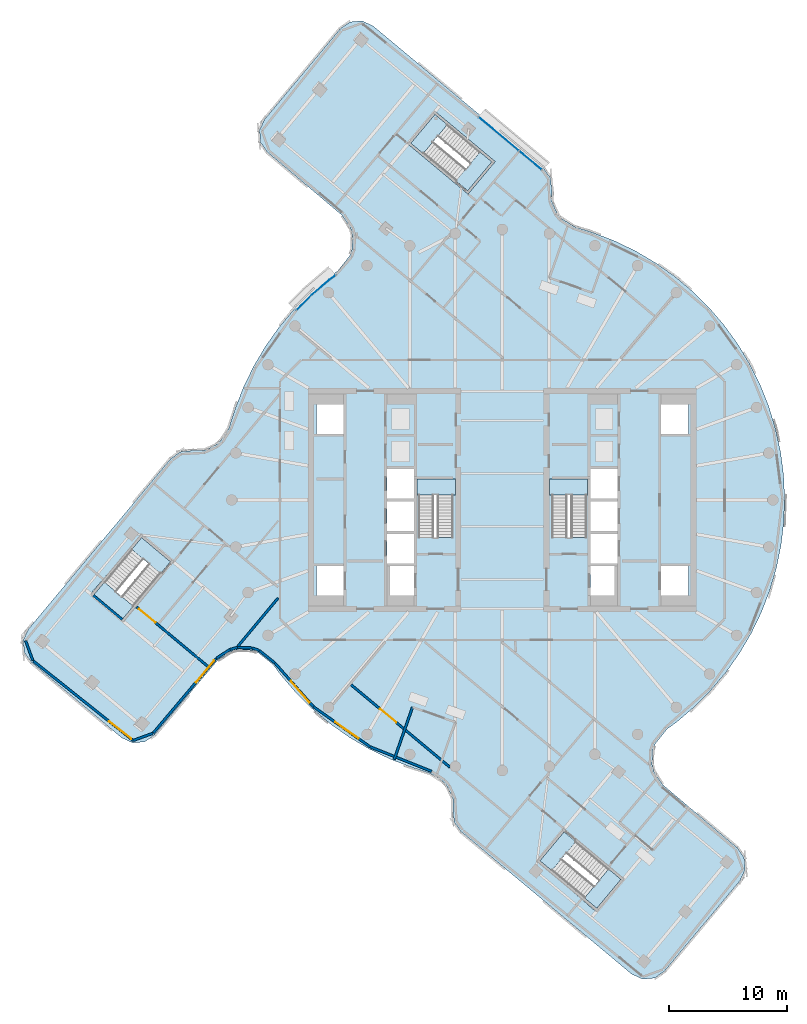
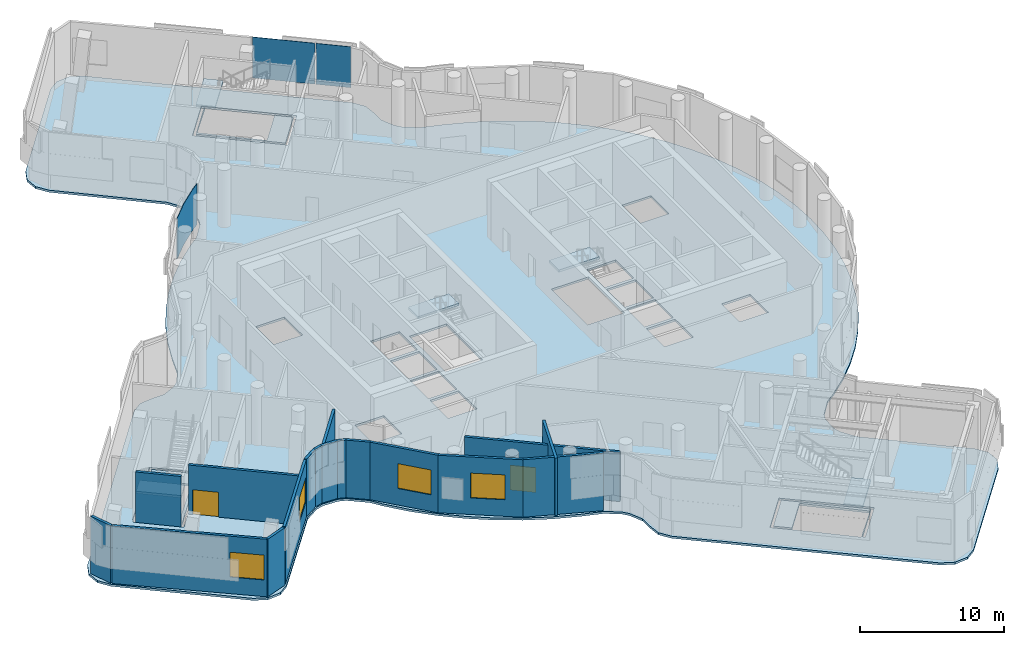
# One storey, part 6 of 19: 17 walls, 9 slabs, 4 windows, 3 plates, 2 doors, 6 openings, 7 elements without a shape of their own.
"""IFC4 building model written with IfcOpenShell, lengths in metres."""

from ifc_helpers import new_model, si_unit, direction, frame, frame_2d, origin, place, context, subcontext, project, spatial, polyline, rectangle, outline, extrude, material, layer, layer_set, type_object, element, fill, aggregate, save


model = new_model("IFC4")

# Units and contexts
model_context = context("Model", 3, precision=1e-05, world=origin(), true_north=direction((0.0, 1.0)))
body_context = subcontext(model_context, "Body", "Model", "MODEL_VIEW")
ifc_project = project(units=[si_unit("LENGTHUNIT", "METRE"), si_unit("AREAUNIT", "SQUARE_METRE"), si_unit("VOLUMEUNIT", "CUBIC_METRE"), si_unit("PLANEANGLEUNIT", "RADIAN"), si_unit("MASSUNIT", "GRAM", prefix="KILO")], contexts=[model_context])

# Site, building, storey
site_placement = place(None, origin())
site = spatial("IfcSite", under=ifc_project, at=site_placement, CompositionType="ELEMENT")
building_placement = place(site_placement, origin())
building = spatial("IfcBuilding", under=site, at=building_placement, Name="Tamarind Cross Interchange Tower", CompositionType="ELEMENT")
storey_placement = place(building_placement, frame((0.0, 0.0, 214.89990234375)))
storey = spatial("IfcBuildingStorey", under=building, at=storey_placement, Name="L54", CompositionType="ELEMENT", Elevation=214.89990234375)

# Slabs
ifc_material_1 = material(Name="Concrete C40", Category="concrete")
ifc_layer_1 = layer(ifc_material_1, 0.179931640625)
ifc_layer_set_1 = layer_set([ifc_layer_1], Name="Concrete C40")
slab_type_1 = type_object("IfcSlabType", Name="Composite slab 180 Concrete C40", PredefinedType="FLOOR", material=ifc_layer_set_1)
slab_1_placement = place(storey_placement, frame((0.0, 0.0, -0.179931640625)))
element("IfcSlab", 1, at=slab_1_placement, inside=storey, type_object=slab_type_1, Name="Floor slab L54", PredefinedType="FLOOR", context=body_context, shape_type="SweptSolid", body=[
    extrude(outline(polyline([(-27.368896484375, 4.09228515625), (-28.19287109375, 3.50439453125), (-40.28271484375, -10.980712890625), (-40.7177734375, -11.919921875), (-40.624755859375, -12.951171875), (-40.02880859375, -13.797607421875), (-32.351318359375, -20.205322265625), (-31.412109375, -20.640380859375), (-30.380859375, -20.547607421875), (-29.534423828125, -19.951416015625), (-24.17919921875, -13.6064453125), (-23.052734375, -12.883056640625), (-22.48828125, -12.728759765625), (-21.304443359375, -12.7734375), (-20.753173828125, -12.9697265625), (-19.47412109375, -13.9921875), (-18.87255859375, -14.820068359375), (-17.584228515625, -16.327880859375), (-16.17578125, -17.72412109375), (-14.656982421875, -18.99951171875), (-13.0380859375, -20.14501953125), (-11.329833984375, -21.15283203125), (-9.54443359375, -22.01611328125), (-7.693603515625, -22.72900390625), (-6.087890625, -23.249267578125), (-5.030029296875, -23.935302734375), (-4.670166015625, -24.354248046875), (-4.2109375, -25.37158203125), (-4.201171875, -26.36279296875), (-4.09228515625, -27.368896484375), (-3.50439453125, -28.19287109375), (10.980712890625, -40.28271484375), (11.919921875, -40.7177734375), (12.951171875, -40.624755859375), (13.797607421875, -40.02880859375), (20.205322265625, -32.351318359375), (20.640380859375, -31.412109375), (20.547607421875, -30.380859375), (19.951416015625, -29.534423828125), (13.6064453125, -24.17919921875), (12.883056640625, -23.052734375), (12.728759765625, -22.48828125), (12.7734375, -21.304443359375), (12.9697265625, -20.753173828125), (13.9921875, -19.47412109375), (14.820068359375, -18.87255859375), (16.327880859375, -17.584228515625), (17.72412109375, -16.17578125), (18.99951171875, -14.656982421875), (20.14501953125, -13.0380859375), (21.15283203125, -11.329833984375), (22.01611328125, -9.54443359375), (22.72900390625, -7.693603515625), (23.286865234375, -5.79052734375), (23.685546875, -3.84765625), (23.92236328125, -1.878662109375), (23.99560546875, 0.103271484375), (23.9052734375, 2.08447265625), (23.651611328125, 4.051513671875), (23.236083984375, 5.99072265625), (22.662109375, 7.88916015625), (21.93310546875, 9.7333984375), (21.054443359375, 11.511474609375), (20.031982421875, 13.2109375), (18.87255859375, 14.820068359375), (17.584228515625, 16.327880859375), (16.17578125, 17.72412109375), (14.656982421875, 18.99951171875), (13.0380859375, 20.14501953125), (11.329833984375, 21.15283203125), (9.54443359375, 22.01611328125), (7.693603515625, 22.72900390625), (6.087890625, 23.249267578125), (5.030029296875, 23.935302734375), (4.670166015625, 24.354248046875), (4.2109375, 25.37158203125), (4.201171875, 26.36279296875), (4.09228515625, 27.368896484375), (3.50439453125, 28.19287109375), (-10.980712890625, 40.28271484375), (-11.919921875, 40.7177734375), (-12.951171875, 40.624755859375), (-13.797607421875, 40.02880859375), (-20.205322265625, 32.351318359375), (-20.640380859375, 31.412109375), (-20.547607421875, 30.380859375), (-19.951416015625, 29.534423828125), (-13.6064453125, 24.17919921875), (-12.883056640625, 23.052734375), (-12.728759765625, 22.48828125), (-12.7734375, 21.304443359375), (-12.9697265625, 20.753173828125), (-13.9921875, 19.47412109375), (-14.820068359375, 18.87255859375), (-16.327880859375, 17.584228515625), (-17.72412109375, 16.17578125), (-18.99951171875, 14.656982421875), (-20.14501953125, 13.0380859375), (-21.15283203125, 11.329833984375), (-22.01611328125, 9.54443359375), (-22.72900390625, 7.693603515625), (-23.249267578125, 6.087890625), (-23.935302734375, 5.030029296875), (-24.354248046875, 4.670166015625), (-25.37158203125, 4.2109375), (-26.36279296875, 4.201171875), (-27.368896484375, 4.09228515625)]), holes=[polyline([(-30.68310546875, -2.91259765625), (-30.529541015625, -3.040771484375), (-28.072998046875, -5.09130859375), (-27.919189453125, -5.219482421875), (-32.21240234375, -10.363037109375), (-32.3662109375, -10.235107421875), (-34.82275390625, -8.1845703125), (-34.976318359375, -8.056396484375), (-34.793701171875, -7.83740234375), (-34.839111328125, -7.798095703125), (-32.685302734375, -5.311279296875), (-30.68310546875, -2.91259765625)]), polyline([(-13.5, -8.125), (-15.800048828125, -8.125), (-15.800048828125, -5.625), (-13.5, -5.625), (-13.5, -8.125)]), polyline([(-7.5, -8.125), (-9.800048828125, -8.125), (-9.800048828125, -5.625), (-7.5, -5.625), (-7.5, -8.125)]), polyline([(-7.5, -2.875), (-7.5, -5.375), (-9.800048828125, -5.375), (-9.800048828125, -2.875), (-7.5, -2.875)]), polyline([(-7.5, -2.625), (-9.800048828125, -2.625), (-9.800048828125, -0.125), (-7.5, -0.125), (-7.5, -2.625)]), polyline([(-4.199951171875, 1.800048828125), (-4.199951171875, -3.18798828125), (-7.14990234375, -3.18798828125), (-7.14990234375, 1.800048828125), (-4.199951171875, 1.800048828125)]), polyline([(-7.5, 0.125), (-9.800048828125, 0.125), (-9.800048828125, 2.625), (-7.5, 2.625), (-7.5, 0.125)]), polyline([(-13.5, 5.625), (-15.800048828125, 5.625), (-15.800048828125, 8.125), (-13.5, 8.125), (-13.5, 5.625)]), polyline([(-8.06005859375, 30.290283203125), (-7.931884765625, 30.443603515625), (-5.88134765625, 32.900390625), (-5.753173828125, 33.053955078125), (-5.533935546875, 32.87109375), (-5.530517578125, 32.875), (-5.311279296875, 32.685302734375), (-0.609375, 28.7607421875), (-0.737548828125, 28.607421875), (-2.7880859375, 26.150390625), (-2.916259765625, 25.9970703125), (-8.06005859375, 30.290283203125)]), polyline([(2.91259765625, -30.68310546875), (3.040771484375, -30.529541015625), (5.09130859375, -28.072998046875), (5.219482421875, -27.919189453125), (10.363037109375, -32.21240234375), (10.235107421875, -32.3662109375), (8.1845703125, -34.82275390625), (8.056396484375, -34.976318359375), (7.83740234375, -34.793701171875), (7.798095703125, -34.839111328125), (5.311279296875, -32.685302734375), (2.91259765625, -30.68310546875)]), polyline([(7.5, -5.625), (9.800048828125, -5.625), (9.800048828125, -8.125), (7.5, -8.125), (7.5, -5.625)]), polyline([(13.5, -5.625), (15.800048828125, -5.625), (15.800048828125, -8.125), (13.5, -8.125), (13.5, -5.625)]), polyline([(7.5, -2.875), (9.800048828125, -2.875), (9.800048828125, -5.375), (7.5, -5.375), (7.5, -2.875)]), polyline([(7.5, -0.125), (9.800048828125, -0.125), (9.800048828125, -2.625), (7.5, -2.625), (7.5, -0.125)]), polyline([(7.14990234375, 1.800048828125), (7.14990234375, -3.18798828125), (4.199951171875, -3.18798828125), (4.199951171875, 1.800048828125), (7.14990234375, 1.800048828125)]), polyline([(7.5, 2.625), (9.800048828125, 2.625), (9.800048828125, 0.125), (7.5, 0.125), (7.5, 2.625)]), polyline([(13.5, 8.125), (15.800048828125, 8.125), (15.800048828125, 5.625), (13.5, 5.625), (13.5, 8.125)])]), origin(), (0.0, 0.0, 1.0), 0.179931640625),
])
slab_2_placement = place(storey_placement, frame((0.0, 0.0, -0.179931640625)))
element("IfcSlab", 2, at=slab_2_placement, inside=storey, type_object=slab_type_1, Name="Floor slab L54", PredefinedType="FLOOR", context=body_context, shape_type="SweptSolid", body=[
    extrude(outline(polyline([(-34.694580078125, -8.031005859375), (-32.23779296875, -10.081298828125), (-28.200927734375, -5.24462890625), (-30.65771484375, -3.1943359375), (-31.44580078125, -4.13818359375), (-31.498291015625, -4.201416015625), (-29.17236328125, -6.14306640625), (-32.419921875, -9.89306640625), (-34.642333984375, -7.968505859375), (-34.694580078125, -8.031005859375)])), origin(), (0.0, 0.0, 1.0), 0.179931640625),
])
slab_3_placement = place(storey_placement, frame((0.0, 0.0, -0.179931640625)))
element("IfcSlab", 3, at=slab_3_placement, inside=storey, type_object=slab_type_1, Name="Floor slab L54", PredefinedType="FLOOR", context=body_context, shape_type="SweptSolid", body=[
    extrude(outline(polyline([(-5.727783203125, 32.772216796875), (-7.7783203125, 30.315673828125), (-2.941650390625, 26.27880859375), (-0.89111328125, 28.7353515625), (-1.898193359375, 29.576171875), (-3.875, 27.2080078125), (-7.625244140625, 30.4560546875), (-5.664794921875, 32.7197265625), (-5.727783203125, 32.772216796875)])), origin(), (0.0, 0.0, 1.0), 0.179931640625),
])
slab_4_placement = place(storey_placement, frame((0.0, 0.0, -0.179931640625)))
element("IfcSlab", 4, at=slab_4_placement, inside=storey, type_object=slab_type_1, Name="Floor slab L54", PredefinedType="FLOOR", context=body_context, shape_type="SweptSolid", body=[
    extrude(outline(polyline([(8.031005859375, -34.694580078125), (10.081298828125, -32.23779296875), (5.24462890625, -28.200927734375), (3.1943359375, -30.65771484375), (4.13818359375, -31.44580078125), (4.201416015625, -31.498291015625), (6.14306640625, -29.17236328125), (9.89306640625, -32.419921875), (7.968505859375, -34.642333984375), (8.031005859375, -34.694580078125)])), origin(), (0.0, 0.0, 1.0), 0.179931640625),
])

# Stair, slab
ifc_material_2 = material(Name="Exit stair")
stair_type = type_object("IfcStairType", Name="Exit stair", PredefinedType="HALF_TURN_STAIR", material=ifc_material_2)
stair_1_placement = place(storey_placement, origin())
stair_1 = element("IfcStair", 5, at=stair_1_placement, inside=storey, type_object=stair_type, Name="L54 exit stair ST1", PredefinedType="HALF_TURN_STAIR")
ifc_layer_2 = layer(ifc_material_1, 0.199951171875)
ifc_layer_set_2 = layer_set([ifc_layer_2], Name="Concrete C40")
slab_type_2 = type_object("IfcSlabType", Name="Stair landing", PredefinedType="LANDING", material=ifc_layer_set_2)
slab_5_placement = place(storey_placement, frame((0.0, 0.0, 2.300048828125)))
slab_5 = element("IfcSlab", 6, at=slab_5_placement, type_object=slab_type_2, Name="ST1 landing 1", PredefinedType="LANDING", context=body_context, shape_type="SweptSolid", body=[
    extrude(outline(polyline([(-4.0, 0.43994140625), (-4.0, 1.800048828125), (-7.25, 1.800048828125), (-7.25, 0.43994140625), (-4.0, 0.43994140625)])), origin(), (0.0, 0.0, 1.0), 0.199951171875),
])
aggregate(stair_1, [slab_5])

stair_2_placement = place(storey_placement, origin())
stair_2 = element("IfcStair", 7, at=stair_2_placement, inside=storey, type_object=stair_type, Name="L54 exit stair ST2", PredefinedType="HALF_TURN_STAIR")
slab_6_placement = place(storey_placement, frame((0.0, 0.0, 2.300048828125)))
slab_6 = element("IfcSlab", 8, at=slab_6_placement, type_object=slab_type_2, Name="ST2 landing 1", PredefinedType="LANDING", context=body_context, shape_type="SweptSolid", body=[
    extrude(outline(polyline([(7.25, 0.43994140625), (7.25, 1.800048828125), (4.0, 1.800048828125), (4.0, 0.43994140625), (7.25, 0.43994140625)])), origin(), (0.0, 0.0, 1.0), 0.199951171875),
])
aggregate(stair_2, [slab_6])

stair_3_placement = place(storey_placement, origin())
stair_3 = element("IfcStair", 9, at=stair_3_placement, inside=storey, type_object=stair_type, Name="L54 exit stair ST4", PredefinedType="HALF_TURN_STAIR")
slab_7_placement = place(storey_placement, frame((0.0, 0.0, 2.300048828125)))
slab_7 = element("IfcSlab", 10, at=slab_7_placement, type_object=slab_type_2, Name="ST4 landing 1", PredefinedType="LANDING", context=body_context, shape_type="SweptSolid", body=[
    extrude(outline(polyline([(-4.674560546875, 31.89306640625), (-5.727783203125, 32.772216796875), (-7.7783203125, 30.315673828125), (-6.724853515625, 29.4365234375), (-4.674560546875, 31.89306640625)])), origin(), (0.0, 0.0, 1.0), 0.199951171875),
])
aggregate(stair_3, [slab_7])

stair_4_placement = place(storey_placement, origin())
stair_4 = element("IfcStair", 11, at=stair_4_placement, inside=storey, type_object=stair_type, Name="L54 exit stair ST5", PredefinedType="HALF_TURN_STAIR")
slab_8_placement = place(storey_placement, frame((0.0, 0.0, 2.300048828125)))
slab_8 = element("IfcSlab", 12, at=slab_8_placement, type_object=slab_type_2, Name="ST5 landing 1", PredefinedType="LANDING", context=body_context, shape_type="SweptSolid", body=[
    extrude(outline(polyline([(-33.8154296875, -6.9775390625), (-34.694580078125, -8.031005859375), (-32.23779296875, -10.08154296875), (-31.358642578125, -9.028076171875), (-33.8154296875, -6.9775390625)])), origin(), (0.0, 0.0, 1.0), 0.199951171875),
])
aggregate(stair_4, [slab_8])

stair_5_placement = place(storey_placement, origin())
stair_5 = element("IfcStair", 13, at=stair_5_placement, inside=storey, type_object=stair_type, Name="L54 exit stair ST6", PredefinedType="HALF_TURN_STAIR")
slab_9_placement = place(storey_placement, frame((0.0, 0.0, 2.300048828125)))
slab_9 = element("IfcSlab", 14, at=slab_9_placement, type_object=slab_type_2, Name="ST6 landing 1", PredefinedType="LANDING", context=body_context, shape_type="SweptSolid", body=[
    extrude(outline(polyline([(6.9775390625, -33.8154296875), (8.031005859375, -34.694580078125), (10.08154296875, -32.23779296875), (9.028076171875, -31.358642578125), (6.9775390625, -33.8154296875)])), origin(), (0.0, 0.0, 1.0), 0.199951171875),
])
aggregate(stair_5, [slab_9])

# Curtain wall, plates
ifc_material_3 = material(Name="Aluminium 6063-T6", Category="aluminium")
ifc_layer_3 = layer(ifc_material_3, 0.179931640625)
ifc_layer_set_3 = layer_set([ifc_layer_3], Name="Aluminium 6063-T6")
curtain_wall_type_1 = type_object("IfcCurtainWallType", Name="Sky lobby curtain wall, fire-resisting glazing", PredefinedType="NOTDEFINED", material=ifc_layer_set_3)
curtain_wall_1_placement = place(storey_placement, origin())
curtain_wall_1 = element("IfcCurtainWall", 15, at=curtain_wall_1_placement, inside=storey, type_object=curtain_wall_type_1, Name="CWS-L54-07", PredefinedType="NOTDEFINED")
ifc_material_4 = material(Name="Fire-resisting glass EI 60", Category="glass")
ifc_layer_4 = layer(ifc_material_4, 0.035888671875)
ifc_layer_set_4 = layer_set([ifc_layer_4], Name="Fire-resisting glass EI 60")
plate_type_1 = type_object("IfcPlateType", Name="Vision panel CW4", PredefinedType="CURTAIN_PANEL", material=ifc_layer_set_4)
plate_1_placement = place(storey_placement, frame((0.0, 0.0, 1.400146484375)))
plate_1 = element("IfcPlate", 16, at=plate_1_placement, type_object=plate_type_1, Name="CWP-L54-07-00", PredefinedType="CURTAIN_PANEL", context=body_context, shape_type="SweptSolid", body=[
    extrude(outline(polyline([(3.314453125, 28.067626953125), (1.44482421875, 29.6279296875), (1.4677734375, 29.65576171875), (3.33740234375, 28.09521484375), (3.314453125, 28.067626953125)])), origin(), (0.0, 0.0, 1.0), 3.4599609375),
])
plate_2_placement = place(storey_placement, frame((0.0, 0.0, 1.400146484375)))
plate_2 = element("IfcPlate", 17, at=plate_2_placement, type_object=plate_type_1, Name="CWP-L54-07-01", PredefinedType="CURTAIN_PANEL", context=body_context, shape_type="SweptSolid", body=[
    extrude(outline(polyline([(1.38330078125, 29.67919921875), (-2.00048828125, 32.503662109375), (-1.9775390625, 32.53125), (1.40625, 29.70703125), (1.38330078125, 29.67919921875)])), origin(), (0.0, 0.0, 1.0), 3.4599609375),
])
aggregate(curtain_wall_1, [plate_1, plate_2])

# Curtain wall, plate
ifc_layer_5 = layer(ifc_material_3, 0.14990234375)
ifc_layer_set_5 = layer_set([ifc_layer_5], Name="Aluminium 6063-T6")
curtain_wall_type_2 = type_object("IfcCurtainWallType", Name="Winter garden and crown curtain wall", PredefinedType="NOTDEFINED", material=ifc_layer_set_5)
curtain_wall_2_placement = place(storey_placement, origin())
curtain_wall_2 = element("IfcCurtainWall", 18, at=curtain_wall_2_placement, inside=storey, type_object=curtain_wall_type_2, Name="CWS-L54-10", PredefinedType="NOTDEFINED")
ifc_material_5 = material(Name="Laminated low-e glass 8+1.52+8", Category="glass")
ifc_layer_6 = layer(ifc_material_5, 0.030029296875)
ifc_layer_set_6 = layer_set([ifc_layer_6], Name="Laminated low-e glass 8+1.52+8")
plate_type_2 = type_object("IfcPlateType", Name="Vision panel CW6", PredefinedType="CURTAIN_PANEL", material=ifc_layer_set_6)
plate_3_placement = place(storey_placement, frame((0.0, 0.0, 1.400146484375)))
plate_3 = element("IfcPlate", 19, at=plate_3_placement, type_object=plate_type_2, Name="CWP-L54-10-01", PredefinedType="CURTAIN_PANEL", context=body_context, shape_type="SweptSolid", body=[
    extrude(outline(polyline([(-14.170654296875, 19.07861328125), (-14.686767578125, 18.70361328125), (-16.181396484375, 17.426513671875), (-17.4619140625, 16.135009765625), (-17.483154296875, 16.15625), (-16.201904296875, 17.448486328125), (-14.705322265625, 18.727294921875), (-14.188232421875, 19.10302734375), (-14.170654296875, 19.07861328125)])), origin(), (0.0, 0.0, 1.0), 3.4599609375),
])
aggregate(curtain_wall_2, [plate_3])

# Wall
ifc_layer_7 = layer(ifc_material_1, 0.199951171875)
ifc_layer_set_7 = layer_set([ifc_layer_7], Name="Concrete C40")
wall_type_1 = type_object("IfcWallType", Name="Balcony and garden door wall", PredefinedType="SOLIDWALL", material=ifc_layer_set_7)
wall_1_placement = place(storey_placement, frame((-7.633544921875, -17.6083984375, 0.0), z_axis=(0.0, 0.0, 1.0), x_axis=(-0.330366613527, -0.943852690131, 0.0)))
element("IfcWall", 20, at=wall_1_placement, inside=storey, type_object=wall_type_1, Name="EXW-L54-WG-L54-WS-R0", PredefinedType="SOLIDWALL", context=body_context, shape_type="SweptSolid", body=[
    extrude(rectangle(XDim=4.7021484375, YDim=0.199951171875, at=frame_2d((2.35107421875, 0.0))), origin(), (0.0, 0.0, 1.0), 4.860107421875),
])

# Wall, opening, door
ifc_material_6 = material(Name="Gypsum board partition on steel studs", Category="steel")
ifc_layer_8 = layer(ifc_material_6, 0.199951171875)
ifc_layer_set_8 = layer_set([ifc_layer_8], Name="Gypsum board partition on steel studs")
wall_type_2 = type_object("IfcWallType", Name="Partition 200 mm EI 180", PredefinedType="PARTITIONING", material=ifc_layer_set_8)
wall_2_placement = place(storey_placement, frame((-31.091064453125, -9.08203125, 0.0), z_axis=(0.0, 0.0, 1.0), x_axis=(0.768028712012, -0.640415410125, 0.0)))
wall_2 = element("IfcWall", 21, at=wall_2_placement, inside=storey, type_object=wall_type_2, Name="Partition L54-005", PredefinedType="PARTITIONING", context=body_context, shape_type="SweptSolid", body=[
    extrude(rectangle(XDim=7.8994140625, YDim=0.199951171875, at=frame_2d((3.94970703125, 0.0))), origin(), (0.0, 0.0, 1.0), 4.16015625),
])
opening_1_placement = place(wall_2_placement, frame((0.300048828125, 0.0, 0.0)))
opening_1 = element("IfcOpeningElement", 22, at=opening_1_placement, cuts=wall_2, Name="Opening D01", PredefinedType="OPENING", context=body_context, shape_type="SweptSolid", body=[
    extrude(rectangle(XDim=1.800048828125, YDim=2.10009765625, at=frame_2d((0.89990234375, 1.050048828125))), frame((0.0, 0.10986328125, 0.0), z_axis=(0.0, -1.0, 0.0), x_axis=(1.0, 0.0, 0.0)), (0.0, 0.0, 1.0), 0.219970703125),
])
ifc_material_7 = material(Name="Fire-resisting door set")
door_type = type_object("IfcDoorType", Name="Interior door 1800 x 2100 FD120S", OperationType="DOUBLE_DOOR_SINGLE_SWING", PredefinedType="DOOR", material=ifc_material_7)
door_1_placement = place(opening_1_placement, frame((1.800048828125, 0.0, 0.0), z_axis=(0.0, 0.0, 1.0), x_axis=(-1.0, 0.0, 0.0)))
door_1 = element("IfcDoor", 23, at=door_1_placement, inside=storey, type_object=door_type, Name="Door D01", OperationType="DOUBLE_DOOR_SINGLE_SWING", OverallHeight=2.10009765625, OverallWidth=1.800048828125, PredefinedType="DOOR", context=body_context, shape_type="SweptSolid", body=[
    extrude(rectangle(XDim=1.800048828125, YDim=2.10009765625, at=frame_2d((0.89990234375, 1.050048828125))), frame((0.0, 0.02490234375, 0.0), z_axis=(0.0, -1.0, 0.0), x_axis=(1.0, 0.0, 0.0)), (0.0, 0.0, 1.0), 0.050048828125),
])
fill(opening_1, door_1)

wall_3_placement = place(storey_placement, frame((-12.85009765625, -15.703125, 0.0), z_axis=(0.0, 0.0, 1.0), x_axis=(0.767726330183, -0.640777872545, 0.0)))
wall_3 = element("IfcWall", 24, at=wall_3_placement, inside=storey, type_object=wall_type_2, Name="Partition L54-009", PredefinedType="PARTITIONING", context=body_context, shape_type="SweptSolid", body=[
    extrude(rectangle(XDim=10.921630859375, YDim=0.199951171875, at=frame_2d((5.4609375, 0.0))), origin(), (0.0, 0.0, 1.0), 4.16015625),
])
opening_2_placement = place(wall_3_placement, frame((3.199951171875, 0.0, 0.0)))
opening_2 = element("IfcOpeningElement", 25, at=opening_2_placement, cuts=wall_3, Name="Opening D03", PredefinedType="OPENING", context=body_context, shape_type="SweptSolid", body=[
    extrude(rectangle(XDim=1.800048828125, YDim=2.10009765625, at=frame_2d((0.89990234375, 1.050048828125))), frame((0.0, 0.10986328125, 0.0), z_axis=(0.0, -1.0, 0.0), x_axis=(1.0, 0.0, 0.0)), (0.0, 0.0, 1.0), 0.219970703125),
])
door_2_placement = place(opening_2_placement, frame((1.800048828125, 0.0, 0.0), z_axis=(0.0, 0.0, 1.0), x_axis=(-1.0, 0.0, 0.0)))
door_2 = element("IfcDoor", 26, at=door_2_placement, inside=storey, type_object=door_type, Name="Door D03", OperationType="DOUBLE_DOOR_SINGLE_SWING", OverallHeight=2.10009765625, OverallWidth=1.800048828125, PredefinedType="DOOR", context=body_context, shape_type="SweptSolid", body=[
    extrude(rectangle(XDim=1.800048828125, YDim=2.10009765625, at=frame_2d((0.89990234375, 1.050048828125))), frame((0.0, 0.02490234375, 0.0), z_axis=(0.0, -1.0, 0.0), x_axis=(1.0, 0.0, 0.0)), (0.0, 0.0, 1.0), 0.050048828125),
])
fill(opening_2, door_2)

# Wall
wall_4_placement = place(storey_placement, frame((-22.473388671875, -12.428466796875, 0.0), z_axis=(0.0, 0.0, 1.0), x_axis=(0.640675113455, 0.767812085734, 0.0)))
element("IfcWall", 27, at=wall_4_placement, inside=storey, type_object=wall_type_2, Name="Partition L54-032", PredefinedType="PARTITIONING", context=body_context, shape_type="SweptSolid", body=[
    extrude(rectangle(XDim=5.332763671875, YDim=0.199951171875, at=frame_2d((2.66650390625, 0.0))), origin(), (0.0, 0.0, 1.0), 4.16015625),
])

# Wall, opening, window
ifc_material_8 = material(Name="Precast concrete C40", Category="concrete")
ifc_layer_9 = layer(ifc_material_8, 0.199951171875)
ifc_layer_set_9 = layer_set([ifc_layer_9], Name="Precast concrete C40")
wall_type_3 = type_object("IfcWallType", Name="Refuge level external wall", PredefinedType="SOLIDWALL", material=ifc_layer_set_9)
wall_5_placement = place(storey_placement, frame((-39.849609375, -13.6865234375, 0.0), z_axis=(0.0, 0.0, 1.0), x_axis=(0.78216217296, -0.623074903355, 0.0)))
wall_5 = element("IfcWall", 28, at=wall_5_placement, inside=storey, type_object=wall_type_3, Name="RFW-L54-00-00", PredefinedType="SOLIDWALL", context=body_context, shape_type="SweptSolid", body=[
    extrude(rectangle(XDim=10.8330078125, YDim=0.199951171875, at=frame_2d((5.41650390625, 0.0))), origin(), (0.0, 0.0, 1.0), 4.860107421875),
])
opening_3_placement = place(wall_5_placement, frame((8.23291015625, 0.0, 1.39990234375)))
opening_3 = element("IfcOpeningElement", 29, at=opening_3_placement, cuts=wall_5, Name="Opening W3", PredefinedType="OPENING", context=body_context, shape_type="SweptSolid", body=[
    extrude(rectangle(XDim=2.39990234375, YDim=2.10009765625, at=frame_2d((1.199951171875, 1.050048828125))), frame((0.0, 0.10986328125, 0.0), z_axis=(0.0, -1.0, 0.0), x_axis=(1.0, 0.0, 0.0)), (0.0, 0.0, 1.0), 0.219970703125),
])
ifc_material_9 = material(Name="Aluminium and fire-resisting glass", Category="aluminium")
window_type = type_object("IfcWindowType", Name="Refuge rescue window", PartitioningType="DOUBLE_PANEL_VERTICAL", PredefinedType="WINDOW", material=ifc_material_9)
window_1_placement = place(opening_3_placement, origin())
window_1 = element("IfcWindow", 30, at=window_1_placement, inside=storey, type_object=window_type, Name="RSW-L54-00-02", OverallHeight=2.10009765625, OverallWidth=2.39990234375, PartitioningType="SINGLE_PANEL", PredefinedType="WINDOW", context=body_context, shape_type="SweptSolid", body=[
    extrude(rectangle(XDim=2.39990234375, YDim=2.10009765625, at=frame_2d((1.199951171875, 1.050048828125))), frame((0.0, 0.030029296875, 0.0), z_axis=(0.0, -1.0, 0.0), x_axis=(1.0, 0.0, 0.0)), (0.0, 0.0, 1.0), 0.06005859375),
])
fill(opening_3, window_1)

# Wall
wall_6_placement = place(storey_placement, frame((-31.37646484375, -20.436279296875, 0.0), z_axis=(0.0, 0.0, 1.0), x_axis=(0.939396565925, 0.342832454601, 0.0)))
element("IfcWall", 31, at=wall_6_placement, inside=storey, type_object=wall_type_3, Name="RFW-L54-00-01", PredefinedType="SOLIDWALL", context=body_context, shape_type="SweptSolid", body=[
    extrude(rectangle(XDim=1.781005859375, YDim=0.199951171875, at=frame_2d((0.890625, 0.0))), origin(), (0.0, 0.0, 1.0), 4.860107421875),
])

# Wall, opening, window
wall_7_placement = place(storey_placement, frame((-29.644775390625, -19.772216796875, 0.0), z_axis=(0.0, 0.0, 1.0), x_axis=(0.64498793917, 0.764192749459, 0.0)))
wall_7 = element("IfcWall", 32, at=wall_7_placement, inside=storey, type_object=wall_type_3, Name="RFW-L54-01-00", PredefinedType="SOLIDWALL", context=body_context, shape_type="SweptSolid", body=[
    extrude(rectangle(XDim=8.22705078125, YDim=0.199951171875, at=frame_2d((4.113525390625, 0.0))), origin(), (0.0, 0.0, 1.0), 4.860107421875),
])
opening_4_placement = place(wall_7_placement, frame((5.60009765625, 0.0, 1.39990234375)))
opening_4 = element("IfcOpeningElement", 33, at=opening_4_placement, cuts=wall_7, Name="Opening W3", PredefinedType="OPENING", context=body_context, shape_type="SweptSolid", body=[
    extrude(rectangle(XDim=2.39990234375, YDim=2.10009765625, at=frame_2d((1.199951171875, 1.050048828125))), frame((0.0, 0.10986328125, 0.0), z_axis=(0.0, -1.0, 0.0), x_axis=(1.0, 0.0, 0.0)), (0.0, 0.0, 1.0), 0.219970703125),
])
window_2_placement = place(opening_4_placement, origin())
window_2 = element("IfcWindow", 34, at=window_2_placement, inside=storey, type_object=window_type, Name="RSW-L54-01-04", OverallHeight=2.10009765625, OverallWidth=2.39990234375, PartitioningType="SINGLE_PANEL", PredefinedType="WINDOW", context=body_context, shape_type="SweptSolid", body=[
    extrude(rectangle(XDim=2.39990234375, YDim=2.10009765625, at=frame_2d((1.199951171875, 1.050048828125))), frame((0.0, 0.030029296875, 0.0), z_axis=(0.0, -1.0, 0.0), x_axis=(1.0, 0.0, 0.0)), (0.0, 0.0, 1.0), 0.06005859375),
])
fill(opening_4, window_2)

# Walls
wall_8_placement = place(storey_placement, frame((-24.287353515625, -13.438232421875, 0.0), z_axis=(0.0, 0.0, 1.0), x_axis=(0.841444816205, 0.540343058881, 0.0)))
element("IfcWall", 35, at=wall_8_placement, inside=storey, type_object=wall_type_3, Name="RFW-L54-02-00", PredefinedType="SOLIDWALL", context=body_context, shape_type="SweptSolid", body=[
    extrude(rectangle(XDim=1.369384765625, YDim=0.199951171875, at=frame_2d((0.6845703125, 0.0))), origin(), (0.0, 0.0, 1.0), 4.860107421875),
])
wall_9_placement = place(storey_placement, frame((-23.135009765625, -12.6982421875, 0.0), z_axis=(0.0, 0.0, 1.0), x_axis=(0.964650465648, 0.263532690811, 0.0)))
element("IfcWall", 36, at=wall_9_placement, inside=storey, type_object=wall_type_3, Name="RFW-L54-02-01", PredefinedType="SOLIDWALL", context=body_context, shape_type="SweptSolid", body=[
    extrude(rectangle(XDim=0.646728515625, YDim=0.199951171875, at=frame_2d((0.3232421875, 0.0))), origin(), (0.0, 0.0, 1.0), 4.860107421875),
])
wall_10_placement = place(storey_placement, frame((-22.51123046875, -12.52783203125, 0.0), z_axis=(0.0, 0.0, 1.0), x_axis=(0.999291824477, -0.037627776093, 0.0)))
element("IfcWall", 37, at=wall_10_placement, inside=storey, type_object=wall_type_3, Name="RFW-L54-02-02", PredefinedType="SOLIDWALL", context=body_context, shape_type="SweptSolid", body=[
    extrude(rectangle(XDim=1.245849609375, YDim=0.199951171875, at=frame_2d((0.623046875, 0.0))), origin(), (0.0, 0.0, 1.0), 4.860107421875),
])
wall_11_placement = place(storey_placement, frame((-21.266357421875, -12.57470703125, 0.0), z_axis=(0.0, 0.0, 1.0), x_axis=(0.9419797958, -0.335669576077, 0.0)))
element("IfcWall", 38, at=wall_11_placement, inside=storey, type_object=wall_type_3, Name="RFW-L54-02-03", PredefinedType="SOLIDWALL", context=body_context, shape_type="SweptSolid", body=[
    extrude(rectangle(XDim=0.6494140625, YDim=0.199951171875, at=frame_2d((0.32470703125, 0.0))), origin(), (0.0, 0.0, 1.0), 4.860107421875),
])
wall_12_placement = place(storey_placement, frame((-20.654541015625, -12.792724609375, 0.0), z_axis=(0.0, 0.0, 1.0), x_axis=(0.781177323264, -0.624309209942, 0.0)))
element("IfcWall", 39, at=wall_12_placement, inside=storey, type_object=wall_type_3, Name="RFW-L54-02-04", PredefinedType="SOLIDWALL", context=body_context, shape_type="SweptSolid", body=[
    extrude(rectangle(XDim=1.697998046875, YDim=0.199951171875, at=frame_2d((0.84912109375, 0.0))), origin(), (0.0, 0.0, 1.0), 4.860107421875),
])

# Wall, opening, window
wall_13_placement = place(storey_placement, frame((-19.328125, -13.852783203125, 0.0), z_axis=(0.0, 0.0, 1.0), x_axis=(0.661797193019, -0.749682916513, 0.0)))
wall_13 = element("IfcWall", 40, at=wall_13_placement, inside=storey, type_object=wall_type_3, Name="RFW-L54-02-05", PredefinedType="SOLIDWALL", context=body_context, shape_type="SweptSolid", body=[
    extrude(rectangle(XDim=4.967041015625, YDim=0.199951171875, at=frame_2d((2.4833984375, 0.0))), origin(), (0.0, 0.0, 1.0), 4.860107421875),
])
opening_5_placement = place(wall_13_placement, frame((2.050048828125, 0.0, 1.39990234375)))
opening_5 = element("IfcOpeningElement", 41, at=opening_5_placement, cuts=wall_13, Name="Opening W3", PredefinedType="OPENING", context=body_context, shape_type="SweptSolid", body=[
    extrude(rectangle(XDim=2.39990234375, YDim=2.10009765625, at=frame_2d((1.199951171875, 1.050048828125))), frame((0.0, 0.10986328125, 0.0), z_axis=(0.0, -1.0, 0.0), x_axis=(1.0, 0.0, 0.0)), (0.0, 0.0, 1.0), 0.219970703125),
])
window_3_placement = place(opening_5_placement, origin())
window_3 = element("IfcWindow", 42, at=window_3_placement, inside=storey, type_object=window_type, Name="RSW-L54-02-01", OverallHeight=2.10009765625, OverallWidth=2.39990234375, PartitioningType="SINGLE_PANEL", PredefinedType="WINDOW", context=body_context, shape_type="SweptSolid", body=[
    extrude(rectangle(XDim=2.39990234375, YDim=2.10009765625, at=frame_2d((1.199951171875, 1.050048828125))), frame((0.0, 0.030029296875, 0.0), z_axis=(0.0, -1.0, 0.0), x_axis=(1.0, 0.0, 0.0)), (0.0, 0.0, 1.0), 0.06005859375),
])
fill(opening_5, window_3)

wall_14_placement = place(storey_placement, frame((-16.041015625, -17.576416015625, 0.0), z_axis=(0.0, 0.0, 1.0), x_axis=(0.816353639148, -0.577552366327, 0.0)))
wall_14 = element("IfcWall", 43, at=wall_14_placement, inside=storey, type_object=wall_type_3, Name="RFW-L54-02-06", PredefinedType="SOLIDWALL", context=body_context, shape_type="SweptSolid", body=[
    extrude(rectangle(XDim=5.88671875, YDim=0.199951171875, at=frame_2d((2.943359375, 0.0))), origin(), (0.0, 0.0, 1.0), 4.860107421875),
])
opening_6_placement = place(wall_14_placement, frame((2.26025390625, 0.0, 1.39990234375)))
opening_6 = element("IfcOpeningElement", 44, at=opening_6_placement, cuts=wall_14, Name="Opening W3", PredefinedType="OPENING", context=body_context, shape_type="SweptSolid", body=[
    extrude(rectangle(XDim=2.39990234375, YDim=2.10009765625, at=frame_2d((1.199951171875, 1.050048828125))), frame((0.0, 0.10986328125, 0.0), z_axis=(0.0, -1.0, 0.0), x_axis=(1.0, 0.0, 0.0)), (0.0, 0.0, 1.0), 0.219970703125),
])
window_4_placement = place(opening_6_placement, origin())
window_4 = element("IfcWindow", 45, at=window_4_placement, inside=storey, type_object=window_type, Name="RSW-L54-02-02", OverallHeight=2.10009765625, OverallWidth=2.39990234375, PartitioningType="SINGLE_PANEL", PredefinedType="WINDOW", context=body_context, shape_type="SweptSolid", body=[
    extrude(rectangle(XDim=2.39990234375, YDim=2.10009765625, at=frame_2d((1.199951171875, 1.050048828125))), frame((0.0, 0.030029296875, 0.0), z_axis=(0.0, -1.0, 0.0), x_axis=(1.0, 0.0, 0.0)), (0.0, 0.0, 1.0), 0.06005859375),
])
fill(opening_6, window_4)

# Walls
wall_15_placement = place(storey_placement, frame((-11.2353515625, -20.976318359375, 0.0), z_axis=(0.0, 0.0, 1.0), x_axis=(0.928649853496, -0.370957476811, 0.0)))
element("IfcWall", 46, at=wall_15_placement, inside=storey, type_object=wall_type_3, Name="RFW-L54-02-07", PredefinedType="SOLIDWALL", context=body_context, shape_type="SweptSolid", body=[
    extrude(rectangle(XDim=5.63623046875, YDim=0.199951171875, at=frame_2d((2.818115234375, 0.0))), origin(), (0.0, 0.0, 1.0), 4.860107421875),
])
wall_16_placement = place(storey_placement, frame((-40.513671875, -11.955322265625, 0.0), z_axis=(0.0, 0.0, 1.0), x_axis=(0.342755619945, -0.939424603146, 0.0)))
element("IfcWall", 47, at=wall_16_placement, inside=storey, type_object=wall_type_3, Name="RFW-L54-11-01", PredefinedType="SOLIDWALL", context=body_context, shape_type="SweptSolid", body=[
    extrude(rectangle(XDim=1.78076171875, YDim=0.199951171875, at=frame_2d((0.890380859375, 0.0))), origin(), (0.0, 0.0, 1.0), 4.860107421875),
])
ifc_layer_10 = layer(ifc_material_1, 0.199951171875)
ifc_layer_set_10 = layer_set([ifc_layer_10], Name="Concrete C40")
wall_type_4 = type_object("IfcWallType", Name="Stair shaft wall 200 mm Concrete C40", PredefinedType="SHEAR", material=ifc_layer_set_10)
wall_17_placement = place(storey_placement, frame((0.0, 0.0, -0.179931640625)))
element("IfcWall", 48, at=wall_17_placement, inside=storey, type_object=wall_type_4, Name="Core wall CWL-L54-ST5-CF", PredefinedType="SHEAR", context=body_context, shape_type="SweptSolid", body=[
    extrude(outline(polyline([(-34.694580078125, -8.031005859375), (-34.82275390625, -8.1845703125), (-32.3662109375, -10.235107421875), (-32.23779296875, -10.081298828125), (-34.694580078125, -8.031005859375)])), origin(), (0.0, 0.0, 1.0), 4.444091796875),
])

save(model, "model.ifc")
